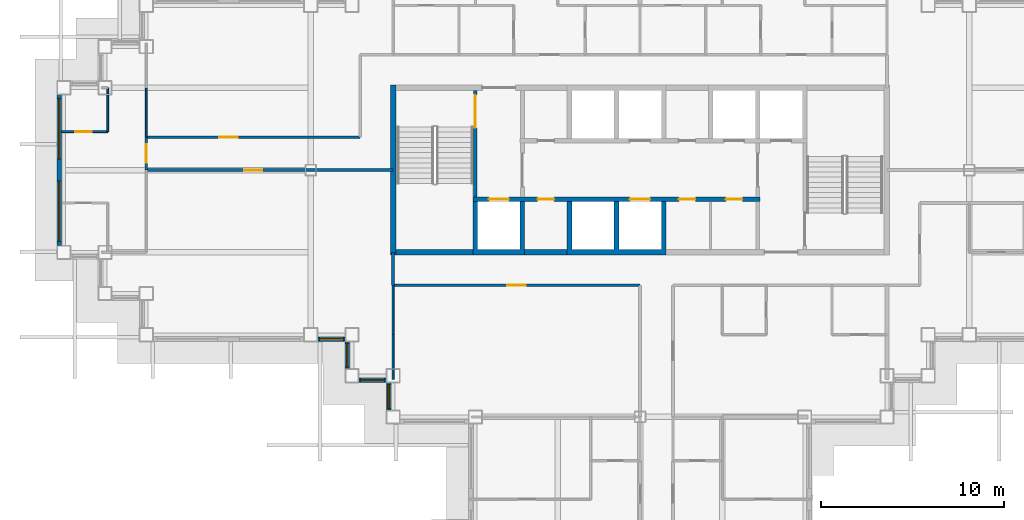
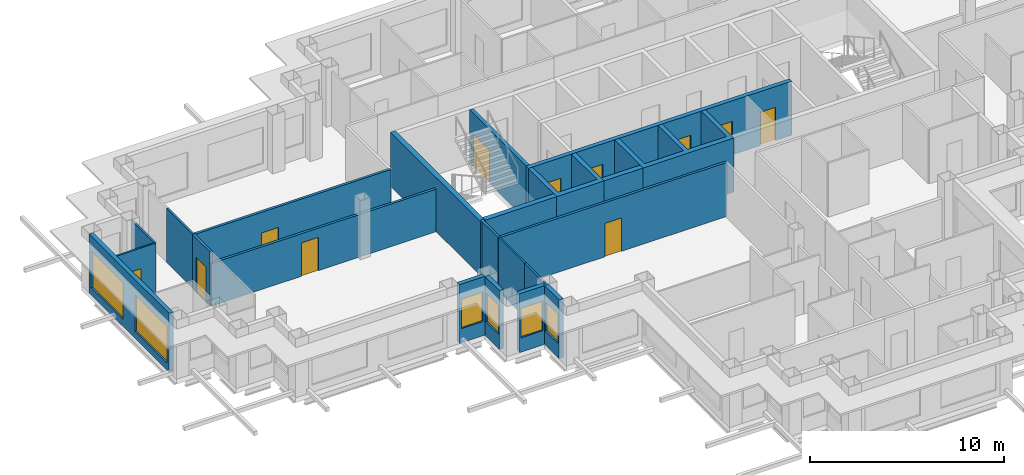
# One storey, part 4 of 15: 22 walls, 11 doors, 6 windows, 17 openings.
"""IFC4 building model written with IfcOpenShell, lengths in metres."""

from ifc_helpers import new_model, si_unit, direction, frame, frame_2d, origin, place, context, subcontext, project, spatial, polyline, rectangle, outline, extrude, material, layer, layer_set, type_object, element, fill, save


model = new_model("IFC4")

# Units and contexts
model_context = context("Model", 3, precision=1e-05, world=origin(), true_north=direction((0.0, 1.0)))
body_context = subcontext(model_context, "Body", "Model", "MODEL_VIEW")
ifc_project = project(units=[si_unit("LENGTHUNIT", "METRE"), si_unit("AREAUNIT", "SQUARE_METRE"), si_unit("VOLUMEUNIT", "CUBIC_METRE"), si_unit("PLANEANGLEUNIT", "RADIAN"), si_unit("MASSUNIT", "GRAM", prefix="KILO")], contexts=[model_context])

# Site, building, storey
site_placement = place(None, origin())
site = spatial("IfcSite", under=ifc_project, at=site_placement, CompositionType="ELEMENT")
building_placement = place(site_placement, origin())
building = spatial("IfcBuilding", under=site, at=building_placement, Name="Caravel Reach Hotel and Residences", CompositionType="ELEMENT")
storey_placement = place(building_placement, frame((0.0, 0.0, 172.800048828125)))
storey = spatial("IfcBuildingStorey", under=building, at=storey_placement, Name="L43", CompositionType="ELEMENT", Elevation=172.800048828125)

# Walls
ifc_material_1 = material(Name="Concrete C60", Category="concrete")
ifc_layer_1 = layer(ifc_material_1, 0.300048828125)
ifc_layer_set_1 = layer_set([ifc_layer_1], Name="Core wall 300 mm EI 120")
wall_type_1 = type_object("IfcWallType", Name="Core wall 300 mm EI 120", PredefinedType="SHEAR", material=ifc_layer_set_1)
wall_1_placement = place(storey_placement, frame((18.14990234375, 22.5, 0.0), z_axis=(0.0, 0.0, 1.0), x_axis=(1.0, 0.0, 0.0)))
element("IfcWall", 1, at=wall_1_placement, inside=storey, type_object=wall_type_1, Name="L43 core wall S1", PredefinedType="SHEAR", context=body_context, shape_type="SweptSolid", body=[
    extrude(rectangle(XDim=4.22509765625, YDim=0.300048828125, at=frame_2d((2.112548828125, 0.0))), origin(), (0.0, 0.0, 1.0), 3.39990234375),
])
wall_2_placement = place(storey_placement, frame((25.196533203125, 22.5, 0.0), z_axis=(0.0, 0.0, 1.0), x_axis=(1.0, 0.0, 0.0)))
element("IfcWall", 2, at=wall_2_placement, inside=storey, type_object=wall_type_1, Name="L43 core wall S2", PredefinedType="SHEAR", context=body_context, shape_type="SweptSolid", body=[
    extrude(rectangle(XDim=2.3212890625, YDim=0.300048828125, at=frame_2d((1.16064453125, 0.0))), origin(), (0.0, 0.0, 1.0), 3.39990234375),
])
wall_3_placement = place(storey_placement, frame((18.0, 22.35009765625, 0.0), z_axis=(0.0, 0.0, 1.0), x_axis=(0.0, 1.0, 0.0)))
element("IfcWall", 3, at=wall_3_placement, inside=storey, type_object=wall_type_1, Name="L43 core wall W", PredefinedType="SHEAR", context=body_context, shape_type="SweptSolid", body=[
    extrude(rectangle(XDim=9.2998046875, YDim=0.300048828125, at=frame_2d((4.64990234375, 0.0))), origin(), (0.0, 0.0, 1.0), 3.39990234375),
])

# Wall, opening, door
ifc_material_2 = material(Name="Gypsum board on steel stud, fire-rated", Category="steel")
ifc_layer_2 = layer(ifc_material_2, 0.14990234375)
ifc_layer_set_2 = layer_set([ifc_layer_2], Name="Corridor wall 150 mm EI 60")
wall_type_2 = type_object("IfcWallType", Name="Corridor wall 150 mm EI 60", PredefinedType="PARTITIONING", material=ifc_layer_set_2)
wall_4_placement = place(storey_placement, frame((18.0, 20.699951171875, 0.0), z_axis=(0.0, 0.0, 1.0), x_axis=(1.0, 0.0, 0.0)))
wall_4 = element("IfcWall", 4, at=wall_4_placement, inside=storey, type_object=wall_type_2, Name="L43 wall w005", PredefinedType="PARTITIONING", context=body_context, shape_type="SweptSolid", body=[
    extrude(rectangle(XDim=13.5, YDim=0.14990234375, at=frame_2d((6.75, 0.0))), origin(), (0.0, 0.0, 1.0), 3.39990234375),
])
opening_1_placement = place(wall_4_placement, frame((6.25, 0.0, 0.0)))
opening_1 = element("IfcOpeningElement", 5, at=opening_1_placement, cuts=wall_4, Name="Opening D43-036", PredefinedType="OPENING", context=body_context, shape_type="SweptSolid", body=[
    extrude(rectangle(XDim=1.0, YDim=2.10009765625, at=frame_2d((0.5, 1.050048828125))), frame((0.0, 0.0849609375, 0.0), z_axis=(0.0, -1.0, 0.0), x_axis=(1.0, 0.0, 0.0)), (0.0, 0.0, 1.0), 0.169921875),
])
ifc_material_3 = material(Name="Steel fire door leaf", Category="steel")
door_type_1 = type_object("IfcDoorType", Name="Fire door 1000 x 2100 EI 60", OperationType="SINGLE_SWING_LEFT", PredefinedType="DOOR", material=ifc_material_3)
door_1_placement = place(opening_1_placement, origin())
door_1 = element("IfcDoor", 6, at=door_1_placement, inside=storey, type_object=door_type_1, Name="door D43-036", OperationType="SINGLE_SWING_RIGHT", OverallHeight=2.10009765625, OverallWidth=1.0, PredefinedType="DOOR", context=body_context, shape_type="SweptSolid", body=[
    extrude(rectangle(XDim=1.0, YDim=2.10009765625, at=frame_2d((0.5, 1.050048828125))), frame((0.0, 0.02490234375, 0.0), z_axis=(0.0, -1.0, 0.0), x_axis=(1.0, 0.0, 0.0)), (0.0, 0.0, 1.0), 0.050048828125),
])
fill(opening_1, door_1)

wall_5_placement = place(storey_placement, frame((4.5, 27.0, 0.0), z_axis=(0.0, 0.0, 1.0), x_axis=(1.0, 0.0, 0.0)))
wall_5 = element("IfcWall", 7, at=wall_5_placement, inside=storey, type_object=wall_type_2, Name="L43 wall w009", PredefinedType="PARTITIONING", context=body_context, shape_type="SweptSolid", body=[
    extrude(rectangle(XDim=13.5, YDim=0.14990234375, at=frame_2d((6.75, 0.0))), origin(), (0.0, 0.0, 1.0), 2.679931640625),
])
opening_2_placement = place(wall_5_placement, frame((5.35009765625, 0.0, 0.0)))
opening_2 = element("IfcOpeningElement", 8, at=opening_2_placement, cuts=wall_5, Name="Opening D43-030", PredefinedType="OPENING", context=body_context, shape_type="SweptSolid", body=[
    extrude(rectangle(XDim=1.0, YDim=2.10009765625, at=frame_2d((0.5, 1.050048828125))), frame((0.0, 0.0849609375, 0.0), z_axis=(0.0, -1.0, 0.0), x_axis=(1.0, 0.0, 0.0)), (0.0, 0.0, 1.0), 0.169921875),
])
door_2_placement = place(opening_2_placement, origin())
door_2 = element("IfcDoor", 9, at=door_2_placement, inside=storey, type_object=door_type_1, Name="door D43-030", OperationType="SINGLE_SWING_LEFT", OverallHeight=2.10009765625, OverallWidth=1.0, PredefinedType="DOOR", context=body_context, shape_type="SweptSolid", body=[
    extrude(rectangle(XDim=1.0, YDim=2.10009765625, at=frame_2d((0.5, 1.050048828125))), frame((0.0, 0.02490234375, 0.0), z_axis=(0.0, -1.0, 0.0), x_axis=(1.0, 0.0, 0.0)), (0.0, 0.0, 1.0), 0.050048828125),
])
fill(opening_2, door_2)

wall_6_placement = place(storey_placement, frame((4.5, 28.800048828125, 0.0), z_axis=(0.0, 0.0, 1.0), x_axis=(1.0, 0.0, 0.0)))
wall_6 = element("IfcWall", 10, at=wall_6_placement, inside=storey, type_object=wall_type_2, Name="L43 wall w011", PredefinedType="PARTITIONING", context=body_context, shape_type="SweptSolid", body=[
    extrude(rectangle(XDim=11.698974609375, YDim=0.14990234375, at=frame_2d((5.849609375, 0.0))), origin(), (0.0, 0.0, 1.0), 3.39990234375),
])
opening_3_placement = place(wall_6_placement, frame((4.0, 0.0, 0.0)))
opening_3 = element("IfcOpeningElement", 11, at=opening_3_placement, cuts=wall_6, Name="Opening D43-029", PredefinedType="OPENING", context=body_context, shape_type="SweptSolid", body=[
    extrude(rectangle(XDim=1.0, YDim=2.10009765625, at=frame_2d((0.5, 1.050048828125))), frame((0.0, 0.0849609375, 0.0), z_axis=(0.0, -1.0, 0.0), x_axis=(1.0, 0.0, 0.0)), (0.0, 0.0, 1.0), 0.169921875),
])
door_3_placement = place(opening_3_placement, origin())
door_3 = element("IfcDoor", 12, at=door_3_placement, inside=storey, type_object=door_type_1, Name="door D43-029", OperationType="SINGLE_SWING_LEFT", OverallHeight=2.10009765625, OverallWidth=1.0, PredefinedType="DOOR", context=body_context, shape_type="SweptSolid", body=[
    extrude(rectangle(XDim=1.0, YDim=2.10009765625, at=frame_2d((0.5, 1.050048828125))), frame((0.0, 0.02490234375, 0.0), z_axis=(0.0, -1.0, 0.0), x_axis=(1.0, 0.0, 0.0)), (0.0, 0.0, 1.0), 0.050048828125),
])
fill(opening_3, door_3)

# Wall
wall_7_placement = place(storey_placement, frame((18.0, 20.699951171875, 0.0), z_axis=(0.0, 0.0, 1.0), x_axis=(0.0, 1.0, 0.0)))
element("IfcWall", 13, at=wall_7_placement, inside=storey, type_object=wall_type_2, Name="L43 wall w020", PredefinedType="PARTITIONING", context=body_context, shape_type="SweptSolid", body=[
    extrude(rectangle(XDim=1.800048828125, YDim=0.14990234375, at=frame_2d((0.89990234375, 0.0))), origin(), (0.0, 0.0, 1.0), 3.39990234375),
])

# Wall, opening, door
wall_8_placement = place(storey_placement, frame((4.5, 27.0, 0.0), z_axis=(0.0, 0.0, 1.0), x_axis=(0.0, 1.0, 0.0)))
wall_8 = element("IfcWall", 14, at=wall_8_placement, inside=storey, type_object=wall_type_2, Name="L43 wall w027", PredefinedType="PARTITIONING", context=body_context, shape_type="SweptSolid", body=[
    extrude(rectangle(XDim=1.800048828125, YDim=0.14990234375, at=frame_2d((0.89990234375, 0.0))), origin(), (0.0, 0.0, 1.0), 3.39990234375),
])
opening_4_placement = place(wall_8_placement, frame((0.39990234375, 0.0, 0.0)))
opening_4 = element("IfcOpeningElement", 15, at=opening_4_placement, cuts=wall_8, Name="Opening D43-048", PredefinedType="OPENING", context=body_context, shape_type="SweptSolid", body=[
    extrude(rectangle(XDim=1.0, YDim=2.199951171875, at=frame_2d((0.5, 1.10009765625))), frame((0.0, 0.0849609375, 0.0), z_axis=(0.0, -1.0, 0.0), x_axis=(1.0, 0.0, 0.0)), (0.0, 0.0, 1.0), 0.169921875),
])
ifc_material_4 = material(Name="Steel fire door leaf", Category="steel")
door_type_2 = type_object("IfcDoorType", Name="Flat entrance door 1000 x 2200 EI 60", OperationType="SINGLE_SWING_LEFT", PredefinedType="DOOR", material=ifc_material_4)
door_4_placement = place(opening_4_placement, origin())
door_4 = element("IfcDoor", 16, at=door_4_placement, inside=storey, type_object=door_type_2, Name="door D43-048", OperationType="SINGLE_SWING_RIGHT", OverallHeight=2.199951171875, OverallWidth=1.0, PredefinedType="DOOR", context=body_context, shape_type="SweptSolid", body=[
    extrude(rectangle(XDim=1.0, YDim=2.199951171875, at=frame_2d((0.5, 1.10009765625))), frame((0.0, 0.02490234375, 0.0), z_axis=(0.0, -1.0, 0.0), x_axis=(1.0, 0.0, 0.0)), (0.0, 0.0, 1.0), 0.050048828125),
])
fill(opening_4, door_4)

# Wall, openings, windows
ifc_material_5 = material(Name="Insulated rainscreen wall, aluminium cladding", Category="aluminium")
ifc_layer_3 = layer(ifc_material_5, 0.25)
ifc_layer_set_3 = layer_set([ifc_layer_3], Name="EW1 Tower rainscreen wall")
wall_type_3 = type_object("IfcWallType", Name="EW1 Tower rainscreen wall", PredefinedType="SOLIDWALL", material=ifc_layer_set_3)
wall_9_placement = place(storey_placement, frame((-0.25, 31.125, 0.0), z_axis=(0.0, 0.0, 1.0), x_axis=(0.0, -1.0, 0.0)))
wall_9 = element("IfcWall", 17, at=wall_9_placement, inside=storey, type_object=wall_type_3, Name="External wall L43 W38.1", PredefinedType="SOLIDWALL", context=body_context, shape_type="SweptSolid", body=[
    extrude(rectangle(XDim=8.25, YDim=0.25, at=frame_2d((4.125, 0.0))), origin(), (0.0, 0.0, 1.0), 3.699951171875),
])
opening_5_placement = place(wall_9_placement, frame((0.22509765625, 0.0, 0.449951171875)))
opening_5 = element("IfcOpeningElement", 18, at=opening_5_placement, cuts=wall_9, Name="Opening WN15", PredefinedType="OPENING", context=body_context, shape_type="SweptSolid", body=[
    extrude(rectangle(XDim=3.300048828125, YDim=2.300048828125, at=frame_2d((1.64990234375, 1.14990234375))), frame((0.0, 0.135009765625, 0.0), z_axis=(0.0, -1.0, 0.0), x_axis=(1.0, 0.0, 0.0)), (0.0, 0.0, 1.0), 0.27001953125),
])
opening_6_placement = place(wall_9_placement, frame((4.72509765625, 0.0, 0.449951171875)))
opening_6 = element("IfcOpeningElement", 19, at=opening_6_placement, cuts=wall_9, Name="Opening WN15", PredefinedType="OPENING", context=body_context, shape_type="SweptSolid", body=[
    extrude(rectangle(XDim=3.300048828125, YDim=2.300048828125, at=frame_2d((1.64990234375, 1.14990234375))), frame((0.0, 0.135009765625, 0.0), z_axis=(0.0, -1.0, 0.0), x_axis=(1.0, 0.0, 0.0)), (0.0, 0.0, 1.0), 0.27001953125),
])
ifc_material_6 = material(Name="Dark low-e glazing in black aluminium frame", Category="aluminium")
window_type_1 = type_object("IfcWindowType", Name="Residence living window 3300 x 2300", PartitioningType="SINGLE_PANEL", PredefinedType="WINDOW", material=ifc_material_6)
window_1_placement = place(opening_5_placement, origin())
window_1 = element("IfcWindow", 20, at=window_1_placement, inside=storey, type_object=window_type_1, Name="Window L43 W38.1.1", OverallHeight=2.300048828125, OverallWidth=3.300048828125, PartitioningType="SINGLE_PANEL", PredefinedType="WINDOW", context=body_context, shape_type="SweptSolid", body=[
    extrude(rectangle(XDim=3.300048828125, YDim=2.300048828125, at=frame_2d((1.64990234375, 1.14990234375))), frame((0.0, 0.030029296875, 0.0), z_axis=(0.0, -1.0, 0.0), x_axis=(1.0, 0.0, 0.0)), (0.0, 0.0, 1.0), 0.06005859375),
])
fill(opening_5, window_1)
window_2_placement = place(opening_6_placement, origin())
window_2 = element("IfcWindow", 21, at=window_2_placement, inside=storey, type_object=window_type_1, Name="Window L43 W38.1.2", OverallHeight=2.300048828125, OverallWidth=3.300048828125, PartitioningType="SINGLE_PANEL", PredefinedType="WINDOW", context=body_context, shape_type="SweptSolid", body=[
    extrude(rectangle(XDim=3.300048828125, YDim=2.300048828125, at=frame_2d((1.64990234375, 1.14990234375))), frame((0.0, 0.030029296875, 0.0), z_axis=(0.0, -1.0, 0.0), x_axis=(1.0, 0.0, 0.0)), (0.0, 0.0, 1.0), 0.06005859375),
])
fill(opening_6, window_2)

# Wall, opening, window
wall_10_placement = place(storey_placement, frame((13.875, 17.75, 0.0), z_axis=(0.0, 0.0, 1.0), x_axis=(1.0, 0.0, 0.0)))
wall_10 = element("IfcWall", 22, at=wall_10_placement, inside=storey, type_object=wall_type_3, Name="External wall L43 S43.2", PredefinedType="SOLIDWALL", context=body_context, shape_type="SweptSolid", body=[
    extrude(rectangle(XDim=1.5, YDim=0.25, at=frame_2d((0.75, 0.0))), origin(), (0.0, 0.0, 1.0), 3.699951171875),
])
opening_7_placement = place(wall_10_placement, frame((0.10009765625, 0.0, 0.89990234375)))
opening_7 = element("IfcOpeningElement", 23, at=opening_7_placement, cuts=wall_10, Name="Opening WN16", PredefinedType="OPENING", context=body_context, shape_type="SweptSolid", body=[
    extrude(rectangle(XDim=1.300048828125, YDim=1.85009765625, at=frame_2d((0.64990234375, 0.925048828125))), frame((0.0, 0.135009765625, 0.0), z_axis=(0.0, -1.0, 0.0), x_axis=(1.0, 0.0, 0.0)), (0.0, 0.0, 1.0), 0.27001953125),
])
ifc_material_7 = material(Name="Dark low-e glazing in black aluminium frame", Category="aluminium")
window_type_2 = type_object("IfcWindowType", Name="Residence bedroom window 1300 x 1850", PartitioningType="SINGLE_PANEL", PredefinedType="WINDOW", material=ifc_material_7)
window_3_placement = place(opening_7_placement, origin())
window_3 = element("IfcWindow", 24, at=window_3_placement, inside=storey, type_object=window_type_2, Name="Window L43 S43.2.1", OverallHeight=1.85009765625, OverallWidth=1.300048828125, PartitioningType="SINGLE_PANEL", PredefinedType="WINDOW", context=body_context, shape_type="SweptSolid", body=[
    extrude(rectangle(XDim=1.300048828125, YDim=1.85009765625, at=frame_2d((0.64990234375, 0.925048828125))), frame((0.0, 0.030029296875, 0.0), z_axis=(0.0, -1.0, 0.0), x_axis=(1.0, 0.0, 0.0)), (0.0, 0.0, 1.0), 0.06005859375),
])
fill(opening_7, window_3)

wall_11_placement = place(storey_placement, frame((15.5, 17.625, 0.0), z_axis=(0.0, 0.0, 1.0), x_axis=(0.0, -1.0, 0.0)))
wall_11 = element("IfcWall", 25, at=wall_11_placement, inside=storey, type_object=wall_type_3, Name="External wall L43 W44.1", PredefinedType="SOLIDWALL", context=body_context, shape_type="SweptSolid", body=[
    extrude(rectangle(XDim=1.5, YDim=0.25, at=frame_2d((0.75, 0.0))), origin(), (0.0, 0.0, 1.0), 3.699951171875),
])
opening_8_placement = place(wall_11_placement, frame((0.10009765625, 0.0, 0.89990234375)))
opening_8 = element("IfcOpeningElement", 26, at=opening_8_placement, cuts=wall_11, Name="Opening WN16", PredefinedType="OPENING", context=body_context, shape_type="SweptSolid", body=[
    extrude(rectangle(XDim=1.300048828125, YDim=1.85009765625, at=frame_2d((0.64990234375, 0.925048828125))), frame((0.0, 0.135009765625, 0.0), z_axis=(0.0, -1.0, 0.0), x_axis=(1.0, 0.0, 0.0)), (0.0, 0.0, 1.0), 0.27001953125),
])
window_4_placement = place(opening_8_placement, origin())
window_4 = element("IfcWindow", 27, at=window_4_placement, inside=storey, type_object=window_type_2, Name="Window L43 W44.1.1", OverallHeight=1.85009765625, OverallWidth=1.300048828125, PartitioningType="SINGLE_PANEL", PredefinedType="WINDOW", context=body_context, shape_type="SweptSolid", body=[
    extrude(rectangle(XDim=1.300048828125, YDim=1.85009765625, at=frame_2d((0.64990234375, 0.925048828125))), frame((0.0, 0.030029296875, 0.0), z_axis=(0.0, -1.0, 0.0), x_axis=(1.0, 0.0, 0.0)), (0.0, 0.0, 1.0), 0.06005859375),
])
fill(opening_8, window_4)

wall_12_placement = place(storey_placement, frame((16.125, 15.5, 0.0), z_axis=(0.0, 0.0, 1.0), x_axis=(1.0, 0.0, 0.0)))
wall_12 = element("IfcWall", 28, at=wall_12_placement, inside=storey, type_object=wall_type_3, Name="External wall L43 S45.1", PredefinedType="SOLIDWALL", context=body_context, shape_type="SweptSolid", body=[
    extrude(rectangle(XDim=1.5, YDim=0.25, at=frame_2d((0.75, 0.0))), origin(), (0.0, 0.0, 1.0), 3.699951171875),
])
opening_9_placement = place(wall_12_placement, frame((0.10009765625, 0.0, 0.89990234375)))
opening_9 = element("IfcOpeningElement", 29, at=opening_9_placement, cuts=wall_12, Name="Opening WN16", PredefinedType="OPENING", context=body_context, shape_type="SweptSolid", body=[
    extrude(rectangle(XDim=1.300048828125, YDim=1.85009765625, at=frame_2d((0.64990234375, 0.925048828125))), frame((0.0, 0.135009765625, 0.0), z_axis=(0.0, -1.0, 0.0), x_axis=(1.0, 0.0, 0.0)), (0.0, 0.0, 1.0), 0.27001953125),
])
window_5_placement = place(opening_9_placement, origin())
window_5 = element("IfcWindow", 30, at=window_5_placement, inside=storey, type_object=window_type_2, Name="Window L43 S45.1.1", OverallHeight=1.85009765625, OverallWidth=1.300048828125, PartitioningType="SINGLE_PANEL", PredefinedType="WINDOW", context=body_context, shape_type="SweptSolid", body=[
    extrude(rectangle(XDim=1.300048828125, YDim=1.85009765625, at=frame_2d((0.64990234375, 0.925048828125))), frame((0.0, 0.030029296875, 0.0), z_axis=(0.0, -1.0, 0.0), x_axis=(1.0, 0.0, 0.0)), (0.0, 0.0, 1.0), 0.06005859375),
])
fill(opening_9, window_5)

wall_13_placement = place(storey_placement, frame((17.75, 15.375, 0.0), z_axis=(0.0, 0.0, 1.0), x_axis=(0.0, -1.0, 0.0)))
wall_13 = element("IfcWall", 31, at=wall_13_placement, inside=storey, type_object=wall_type_3, Name="External wall L43 W46.1", PredefinedType="SOLIDWALL", context=body_context, shape_type="SweptSolid", body=[
    extrude(rectangle(XDim=1.5, YDim=0.25, at=frame_2d((0.75, 0.0))), origin(), (0.0, 0.0, 1.0), 3.699951171875),
])
opening_10_placement = place(wall_13_placement, frame((0.10009765625, 0.0, 0.89990234375)))
opening_10 = element("IfcOpeningElement", 32, at=opening_10_placement, cuts=wall_13, Name="Opening WN16", PredefinedType="OPENING", context=body_context, shape_type="SweptSolid", body=[
    extrude(rectangle(XDim=1.300048828125, YDim=1.85009765625, at=frame_2d((0.64990234375, 0.925048828125))), frame((0.0, 0.135009765625, 0.0), z_axis=(0.0, -1.0, 0.0), x_axis=(1.0, 0.0, 0.0)), (0.0, 0.0, 1.0), 0.27001953125),
])
window_6_placement = place(opening_10_placement, origin())
window_6 = element("IfcWindow", 33, at=window_6_placement, inside=storey, type_object=window_type_2, Name="Window L43 W46.1.1", OverallHeight=1.85009765625, OverallWidth=1.300048828125, PartitioningType="SINGLE_PANEL", PredefinedType="WINDOW", context=body_context, shape_type="SweptSolid", body=[
    extrude(rectangle(XDim=1.300048828125, YDim=1.85009765625, at=frame_2d((0.64990234375, 0.925048828125))), frame((0.0, 0.030029296875, 0.0), z_axis=(0.0, -1.0, 0.0), x_axis=(1.0, 0.0, 0.0)), (0.0, 0.0, 1.0), 0.06005859375),
])
fill(opening_10, window_6)

# Wall, opening, door
ifc_material_8 = material(Name="Gypsum board on steel stud", Category="steel")
ifc_layer_4 = layer(ifc_material_8, 0.10009765625)
ifc_layer_set_4 = layer_set([ifc_layer_4], Name="Partition 100 mm")
wall_type_4 = type_object("IfcWallType", Name="Partition 100 mm", PredefinedType="PARTITIONING", material=ifc_layer_set_4)
wall_14_placement = place(storey_placement, frame((-0.125, 29.10009765625, 0.0), z_axis=(0.0, 0.0, 1.0), x_axis=(1.0, 0.0, 0.0)))
wall_14 = element("IfcWall", 34, at=wall_14_placement, inside=storey, type_object=wall_type_4, Name="L43 wall w039", PredefinedType="PARTITIONING", context=body_context, shape_type="SweptSolid", body=[
    extrude(rectangle(XDim=2.52490234375, YDim=0.10009765625, at=frame_2d((1.262451171875, 0.0))), origin(), (0.0, 0.0, 1.0), 3.39990234375),
])
opening_11_placement = place(wall_14_placement, frame((0.75, 0.0, 0.0)))
opening_11 = element("IfcOpeningElement", 35, at=opening_11_placement, cuts=wall_14, Name="Opening D43-050", PredefinedType="OPENING", context=body_context, shape_type="SweptSolid", body=[
    extrude(rectangle(XDim=0.89990234375, YDim=2.10009765625, at=frame_2d((0.449951171875, 1.050048828125))), frame((0.0, 0.06005859375, 0.0), z_axis=(0.0, -1.0, 0.0), x_axis=(1.0, 0.0, 0.0)), (0.0, 0.0, 1.0), 0.1201171875),
])
ifc_material_9 = material(Name="Timber and steel door leaf", Category="steel")
door_type_3 = type_object("IfcDoorType", Name="Door 900 x 2100 timber", OperationType="SINGLE_SWING_LEFT", PredefinedType="DOOR", material=ifc_material_9)
door_5_placement = place(opening_11_placement, origin())
door_5 = element("IfcDoor", 36, at=door_5_placement, inside=storey, type_object=door_type_3, Name="door D43-050", OperationType="SINGLE_SWING_LEFT", OverallHeight=2.10009765625, OverallWidth=0.89990234375, PredefinedType="DOOR", context=body_context, shape_type="SweptSolid", body=[
    extrude(rectangle(XDim=0.89990234375, YDim=2.10009765625, at=frame_2d((0.449951171875, 1.050048828125))), frame((0.0, 0.02490234375, 0.0), z_axis=(0.0, -1.0, 0.0), x_axis=(1.0, 0.0, 0.0)), (0.0, 0.0, 1.0), 0.050048828125),
])
fill(opening_11, door_5)

# Walls
wall_15_placement = place(storey_placement, frame((18.0, 15.56005859375, 0.0), z_axis=(0.0, 0.0, 1.0), x_axis=(0.0, 1.0, 0.0)))
element("IfcWall", 37, at=wall_15_placement, inside=storey, type_object=wall_type_4, Name="L43 wall w053", PredefinedType="PARTITIONING", context=body_context, shape_type="SweptSolid", body=[
    extrude(rectangle(XDim=2.43896484375, YDim=0.10009765625, at=frame_2d((1.219482421875, 0.0))), origin(), (0.0, 0.0, 1.0), 3.39990234375),
])
wall_16_placement = place(storey_placement, frame((18.0, 18.0, 0.0), z_axis=(0.0, 0.0, 1.0), x_axis=(0.0, 1.0, 0.0)))
element("IfcWall", 38, at=wall_16_placement, inside=storey, type_object=wall_type_4, Name="L43 wall w054", PredefinedType="PARTITIONING", context=body_context, shape_type="SweptSolid", body=[
    extrude(rectangle(XDim=2.699951171875, YDim=0.10009765625, at=frame_2d((1.35009765625, 0.0))), origin(), (0.0, 0.0, 1.0), 3.39990234375),
])
wall_17_placement = place(storey_placement, frame((2.39990234375, 29.10009765625, 0.0), z_axis=(0.0, 0.0, 1.0), x_axis=(0.0, 1.0, 0.0)))
element("IfcWall", 39, at=wall_17_placement, inside=storey, type_object=wall_type_4, Name="L43 wall w055", PredefinedType="PARTITIONING", context=body_context, shape_type="SweptSolid", body=[
    extrude(rectangle(XDim=2.39990234375, YDim=0.10009765625, at=frame_2d((1.199951171875, 0.0))), origin(), (0.0, 0.0, 1.0), 3.39990234375),
])
wall_18_placement = place(storey_placement, frame((4.5, 28.800048828125, 0.0), z_axis=(0.0, 0.0, 1.0), x_axis=(0.0, 1.0, 0.0)))
element("IfcWall", 40, at=wall_18_placement, inside=storey, type_object=wall_type_4, Name="L43 wall w067", PredefinedType="PARTITIONING", context=body_context, shape_type="SweptSolid", body=[
    extrude(rectangle(XDim=2.699951171875, YDim=0.10009765625, at=frame_2d((1.35009765625, 0.0))), origin(), (0.0, 0.0, 1.0), 3.39990234375),
])
ifc_material_10 = material(Name="Concrete C60", Category="concrete")
ifc_layer_5 = layer(ifc_material_10, 0.25)
ifc_layer_set_5 = layer_set([ifc_layer_5], Name="Shaft wall 250 mm EI 120")
wall_type_5 = type_object("IfcWallType", Name="Shaft wall 250 mm EI 120", PredefinedType="SHEAR", material=ifc_layer_set_5)
wall_19_placement = place(storey_placement, origin())
element("IfcWall", 41, at=wall_19_placement, inside=storey, type_object=wall_type_5, Name="L43 lift shaft wall S1", PredefinedType="SHEAR", context=body_context, shape_type="SweptSolid", body=[
    extrude(outline(polyline([(22.375, 22.35009765625), (25.196533203125, 22.35009765625), (25.196533203125, 25.27490234375), (24.946533203125, 25.27490234375), (24.946533203125, 22.64990234375), (22.625, 22.64990234375), (22.625, 25.27490234375), (22.375, 25.27490234375), (22.375, 22.35009765625)])), origin(), (0.0, 0.0, 1.0), 3.39990234375),
])
wall_20_placement = place(storey_placement, origin())
element("IfcWall", 42, at=wall_20_placement, inside=storey, type_object=wall_type_5, Name="L43 lift shaft wall S2", PredefinedType="SHEAR", context=body_context, shape_type="SweptSolid", body=[
    extrude(outline(polyline([(27.517822265625, 22.35009765625), (32.91064453125, 22.35009765625), (32.91064453125, 25.27490234375), (32.66064453125, 25.27490234375), (32.66064453125, 22.64990234375), (30.33935546875, 22.64990234375), (30.33935546875, 25.27490234375), (30.08935546875, 25.27490234375), (30.08935546875, 22.64990234375), (27.767822265625, 22.64990234375), (27.767822265625, 25.27490234375), (27.517822265625, 25.27490234375), (27.517822265625, 22.35009765625)])), origin(), (0.0, 0.0, 1.0), 3.39990234375),
])

# Wall, openings, doors
wall_21_placement = place(storey_placement, frame((22.375, 25.39990234375, 0.0), z_axis=(0.0, 0.0, 1.0), x_axis=(1.0, 0.0, 0.0)))
wall_21 = element("IfcWall", 43, at=wall_21_placement, inside=storey, type_object=wall_type_5, Name="L43 lobby wall S1", PredefinedType="SHEAR", context=body_context, shape_type="SweptSolid", body=[
    extrude(rectangle(XDim=15.678466796875, YDim=0.25, at=frame_2d((7.83935546875, 0.0))), origin(), (0.0, 0.0, 1.0), 3.39990234375),
])
opening_12_placement = place(wall_21_placement, frame((8.574951171875, 0.0, 0.0)))
opening_12 = element("IfcOpeningElement", 44, at=opening_12_placement, cuts=wall_21, Name="Opening D43-001", PredefinedType="OPENING", context=body_context, shape_type="SweptSolid", body=[
    extrude(rectangle(XDim=1.10009765625, YDim=2.10009765625, at=frame_2d((0.550048828125, 1.050048828125))), frame((0.0, 0.135009765625, 0.0), z_axis=(0.0, -1.0, 0.0), x_axis=(1.0, 0.0, 0.0)), (0.0, 0.0, 1.0), 0.27001953125),
])
opening_13_placement = place(wall_21_placement, frame((0.860595703125, 0.0, 0.0)))
opening_13 = element("IfcOpeningElement", 45, at=opening_13_placement, cuts=wall_21, Name="Opening D43-004", PredefinedType="OPENING", context=body_context, shape_type="SweptSolid", body=[
    extrude(rectangle(XDim=1.10009765625, YDim=2.10009765625, at=frame_2d((0.550048828125, 1.050048828125))), frame((0.0, 0.135009765625, 0.0), z_axis=(0.0, -1.0, 0.0), x_axis=(1.0, 0.0, 0.0)), (0.0, 0.0, 1.0), 0.27001953125),
])
opening_14_placement = place(wall_21_placement, frame((3.531982421875, 0.0, 0.0)))
opening_14 = element("IfcOpeningElement", 46, at=opening_14_placement, cuts=wall_21, Name="Opening D43-006", PredefinedType="OPENING", context=body_context, shape_type="SweptSolid", body=[
    extrude(rectangle(XDim=0.89990234375, YDim=2.10009765625, at=frame_2d((0.449951171875, 1.050048828125))), frame((0.0, 0.135009765625, 0.0), z_axis=(0.0, -1.0, 0.0), x_axis=(1.0, 0.0, 0.0)), (0.0, 0.0, 1.0), 0.27001953125),
])
opening_15_placement = place(wall_21_placement, frame((11.246337890625, 0.0, 0.0)))
opening_15 = element("IfcOpeningElement", 47, at=opening_15_placement, cuts=wall_21, Name="Opening D43-007", PredefinedType="OPENING", context=body_context, shape_type="SweptSolid", body=[
    extrude(rectangle(XDim=0.89990234375, YDim=2.10009765625, at=frame_2d((0.449951171875, 1.050048828125))), frame((0.0, 0.135009765625, 0.0), z_axis=(0.0, -1.0, 0.0), x_axis=(1.0, 0.0, 0.0)), (0.0, 0.0, 1.0), 0.27001953125),
])
opening_16_placement = place(wall_21_placement, frame((13.81787109375, 0.0, 0.0)))
opening_16 = element("IfcOpeningElement", 48, at=opening_16_placement, cuts=wall_21, Name="Opening D43-008", PredefinedType="OPENING", context=body_context, shape_type="SweptSolid", body=[
    extrude(rectangle(XDim=0.89990234375, YDim=2.10009765625, at=frame_2d((0.449951171875, 1.050048828125))), frame((0.0, 0.135009765625, 0.0), z_axis=(0.0, -1.0, 0.0), x_axis=(1.0, 0.0, 0.0)), (0.0, 0.0, 1.0), 0.27001953125),
])
ifc_material_11 = material(Name="Stainless steel landing door", Category="steel")
door_type_4 = type_object("IfcDoorType", Name="Landing door LD 1100 x 2100 sliding", OperationType="DOUBLE_DOOR_SLIDING", PredefinedType="DOOR", material=ifc_material_11)
door_6_placement = place(opening_12_placement, origin())
door_6 = element("IfcDoor", 49, at=door_6_placement, inside=storey, type_object=door_type_4, Name="MP1 landing door", OperationType="DOUBLE_DOOR_SLIDING", OverallHeight=2.10009765625, OverallWidth=1.10009765625, PredefinedType="DOOR", context=body_context, shape_type="SweptSolid", body=[
    extrude(rectangle(XDim=1.10009765625, YDim=2.10009765625, at=frame_2d((0.550048828125, 1.050048828125))), frame((0.0, 0.02490234375, 0.0), z_axis=(0.0, -1.0, 0.0), x_axis=(1.0, 0.0, 0.0)), (0.0, 0.0, 1.0), 0.050048828125),
])
fill(opening_12, door_6)
door_7_placement = place(opening_13_placement, origin())
door_7 = element("IfcDoor", 50, at=door_7_placement, inside=storey, type_object=door_type_4, Name="FL1 landing door", OperationType="DOUBLE_DOOR_SLIDING", OverallHeight=2.10009765625, OverallWidth=1.10009765625, PredefinedType="DOOR", context=body_context, shape_type="SweptSolid", body=[
    extrude(rectangle(XDim=1.10009765625, YDim=2.10009765625, at=frame_2d((0.550048828125, 1.050048828125))), frame((0.0, 0.02490234375, 0.0), z_axis=(0.0, -1.0, 0.0), x_axis=(1.0, 0.0, 0.0)), (0.0, 0.0, 1.0), 0.050048828125),
])
fill(opening_13, door_7)
ifc_material_12 = material(Name="Steel fire door leaf", Category="steel")
door_type_5 = type_object("IfcDoorType", Name="Riser door 900 x 2100 EI 60", OperationType="SINGLE_SWING_LEFT", PredefinedType="DOOR", material=ifc_material_12)
door_8_placement = place(opening_14_placement, origin())
door_8 = element("IfcDoor", 51, at=door_8_placement, inside=storey, type_object=door_type_5, Name="Refuse store door", OperationType="SINGLE_SWING_LEFT", OverallHeight=2.10009765625, OverallWidth=0.89990234375, PredefinedType="DOOR", context=body_context, shape_type="SweptSolid", body=[
    extrude(rectangle(XDim=0.89990234375, YDim=2.10009765625, at=frame_2d((0.449951171875, 1.050048828125))), frame((0.0, 0.02490234375, 0.0), z_axis=(0.0, -1.0, 0.0), x_axis=(1.0, 0.0, 0.0)), (0.0, 0.0, 1.0), 0.050048828125),
])
fill(opening_14, door_8)
door_9_placement = place(opening_15_placement, origin())
door_9 = element("IfcDoor", 52, at=door_9_placement, inside=storey, type_object=door_type_5, Name="Housekeeping store door", OperationType="SINGLE_SWING_LEFT", OverallHeight=2.10009765625, OverallWidth=0.89990234375, PredefinedType="DOOR", context=body_context, shape_type="SweptSolid", body=[
    extrude(rectangle(XDim=0.89990234375, YDim=2.10009765625, at=frame_2d((0.449951171875, 1.050048828125))), frame((0.0, 0.02490234375, 0.0), z_axis=(0.0, -1.0, 0.0), x_axis=(1.0, 0.0, 0.0)), (0.0, 0.0, 1.0), 0.050048828125),
])
fill(opening_15, door_9)
door_10_placement = place(opening_16_placement, origin())
door_10 = element("IfcDoor", 53, at=door_10_placement, inside=storey, type_object=door_type_5, Name="Mail store door", OperationType="SINGLE_SWING_LEFT", OverallHeight=2.10009765625, OverallWidth=0.89990234375, PredefinedType="DOOR", context=body_context, shape_type="SweptSolid", body=[
    extrude(rectangle(XDim=0.89990234375, YDim=2.10009765625, at=frame_2d((0.449951171875, 1.050048828125))), frame((0.0, 0.02490234375, 0.0), z_axis=(0.0, -1.0, 0.0), x_axis=(1.0, 0.0, 0.0)), (0.0, 0.0, 1.0), 0.050048828125),
])
fill(opening_16, door_10)

# Wall, opening, door
ifc_material_13 = material(Name="Concrete C60", Category="concrete")
ifc_layer_6 = layer(ifc_material_13, 0.199951171875)
ifc_layer_set_6 = layer_set([ifc_layer_6], Name="Stair enclosure wall 200 mm EI 120")
wall_type_6 = type_object("IfcWallType", Name="Stair enclosure wall 200 mm EI 120", PredefinedType="SHEAR", material=ifc_layer_set_6)
wall_22_placement = place(storey_placement, frame((22.5, 31.35009765625, 0.0), z_axis=(0.0, 0.0, 1.0), x_axis=(0.0, -1.0, 0.0)))
wall_22 = element("IfcWall", 54, at=wall_22_placement, inside=storey, type_object=wall_type_6, Name="L43 stair A wall", PredefinedType="SHEAR", context=body_context, shape_type="SweptSolid", body=[
    extrude(rectangle(XDim=5.8251953125, YDim=0.199951171875, at=frame_2d((2.91259765625, 0.0))), origin(), (0.0, 0.0, 1.0), 3.39990234375),
])
opening_17_placement = place(wall_22_placement, frame((0.25, 0.0, 0.0)))
opening_17 = element("IfcOpeningElement", 55, at=opening_17_placement, cuts=wall_22, Name="Opening D43-011", PredefinedType="OPENING", context=body_context, shape_type="SweptSolid", body=[
    extrude(rectangle(XDim=1.800048828125, YDim=2.10009765625, at=frame_2d((0.89990234375, 1.050048828125))), frame((0.0, 0.10986328125, 0.0), z_axis=(0.0, -1.0, 0.0), x_axis=(1.0, 0.0, 0.0)), (0.0, 0.0, 1.0), 0.219970703125),
])
ifc_material_14 = material(Name="Steel fire door leaf", Category="steel")
door_type_6 = type_object("IfcDoorType", Name="Stair door pair 1800 x 2100 EI 90", OperationType="DOUBLE_DOOR_SINGLE_SWING", PredefinedType="DOOR", material=ifc_material_14)
door_11_placement = place(opening_17_placement, origin())
door_11 = element("IfcDoor", 56, at=door_11_placement, inside=storey, type_object=door_type_6, Name="stair A door pair", OperationType="DOUBLE_DOOR_SINGLE_SWING", OverallHeight=2.10009765625, OverallWidth=1.800048828125, PredefinedType="DOOR", context=body_context, shape_type="SweptSolid", body=[
    extrude(rectangle(XDim=1.800048828125, YDim=2.10009765625, at=frame_2d((0.89990234375, 1.050048828125))), frame((0.0, 0.02490234375, 0.0), z_axis=(0.0, -1.0, 0.0), x_axis=(1.0, 0.0, 0.0)), (0.0, 0.0, 1.0), 0.050048828125),
])
fill(opening_17, door_11)

save(model, "model.ifc")
